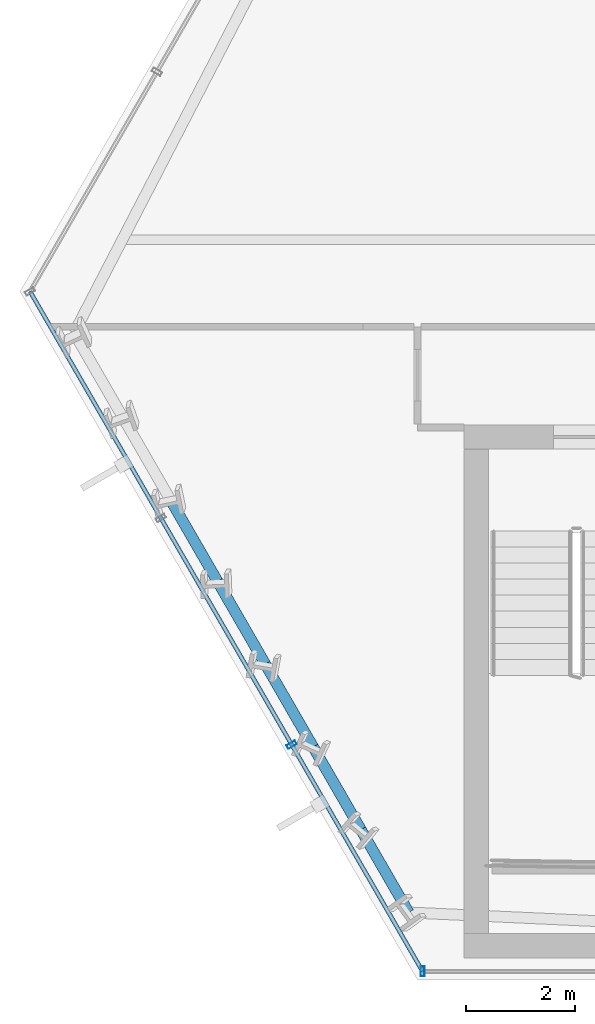
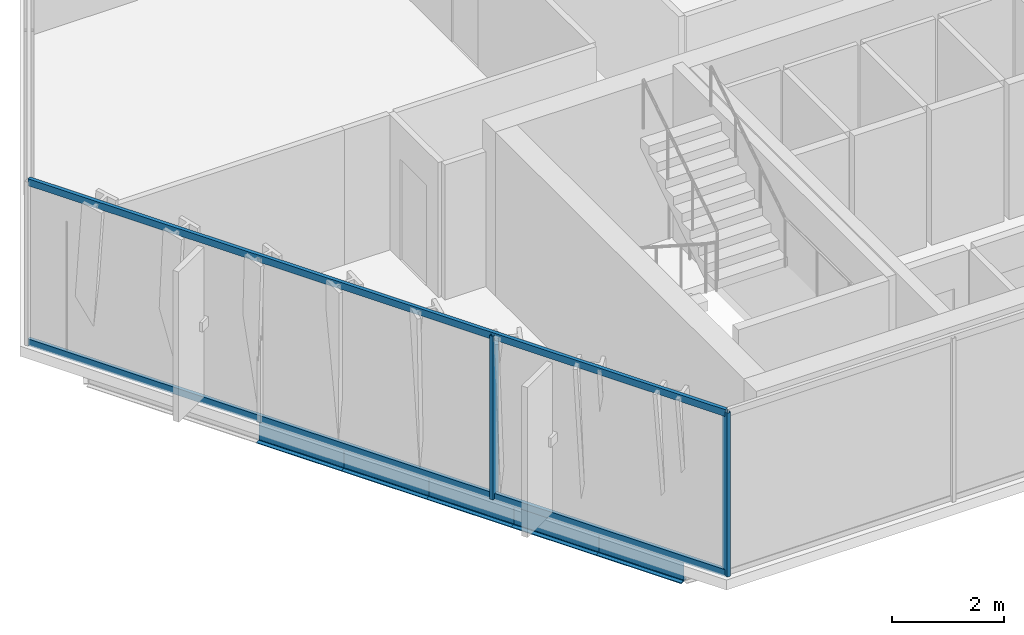
# One storey, part 2 of 33: 5 beams, 4 members, 2 elements without a shape of their own.
"""IFC4 building model written with IfcOpenShell, lengths in metres."""

from ifc_helpers import new_model, si_unit, direction, frame, origin, origin_2d, place, context, subcontext, project, spatial, hollow_rectangle, i_section, extrude, material, layer, layer_set, material_profile, profile_set, type_object, element, aggregate, save


model = new_model("IFC4")

# Units and contexts
model_context = context("Model", 3, precision=1e-05, world=origin(), true_north=direction((0.0, 1.0)))
body_context = subcontext(model_context, "Body", "Model", "MODEL_VIEW")
ifc_project = project(units=[si_unit("LENGTHUNIT", "METRE"), si_unit("AREAUNIT", "SQUARE_METRE"), si_unit("VOLUMEUNIT", "CUBIC_METRE"), si_unit("PLANEANGLEUNIT", "RADIAN"), si_unit("MASSUNIT", "GRAM", prefix="KILO")], contexts=[model_context])

# Site, building, storey
site_placement = place(None, origin())
site = spatial("IfcSite", under=ifc_project, at=site_placement, CompositionType="ELEMENT")
building_placement = place(site_placement, origin())
building = spatial("IfcBuilding", under=site, at=building_placement, Name="Ndaravel Arena Tower", CompositionType="ELEMENT")
storey_placement = place(building_placement, frame((0.0, 0.0, 89.199951171875)))
storey = spatial("IfcBuildingStorey", under=building, at=storey_placement, Name="L20", CompositionType="ELEMENT", Elevation=89.199951171875)

# Beams
ifc_material_1 = material(Name="Steel S355", Category="steel")
ifc_material_profile_1 = material_profile(ifc_material_1, i_section(OverallWidth=0.199951171875, OverallDepth=0.5, WebThickness=0.01025390625, FlangeThickness=0.01611328125, FilletRadius=0.02099609375, at=origin_2d()), Name="IPE 500")
ifc_profile_set_1 = profile_set([ifc_material_profile_1], Name="Steel S355")
beam_type = type_object("IfcBeamType", Name="BM-SPAN-IPE500", PredefinedType="SPANDREL", material=ifc_profile_set_1)
beam_1_placement = place(storey_placement, frame((21.0458984375, 13.845458984375, -0.469970703125), z_axis=(0.500115484592, -0.865958718457, 0.0), x_axis=(0.865958718457, 0.500115484592, 0.0)))
element("IfcBeam", 1, at=beam_1_placement, inside=storey, type_object=beam_type, Name="L20 Perimeter Spandrel Beam SP-22", PredefinedType="SPANDREL", context=body_context, shape_type="SweptSolid", body=[
    extrude(i_section(OverallWidth=0.199951171875, OverallDepth=0.5, WebThickness=0.01025390625, FlangeThickness=0.01611328125, FilletRadius=0.02099609375, at=origin_2d()), origin(), (0.0, 0.0, 1.0), 1.75634765625),
])
beam_2_placement = place(storey_placement, frame((21.92431640625, 12.324462890625, -0.469970703125), z_axis=(0.49990697594, -0.86607910459, 0.0), x_axis=(0.86607910459, 0.49990697594, 0.0)))
element("IfcBeam", 2, at=beam_2_placement, inside=storey, type_object=beam_type, Name="L20 Perimeter Spandrel Beam SP-23", PredefinedType="SPANDREL", context=body_context, shape_type="SweptSolid", body=[
    extrude(i_section(OverallWidth=0.199951171875, OverallDepth=0.5, WebThickness=0.01025390625, FlangeThickness=0.01611328125, FilletRadius=0.02099609375, at=origin_2d()), origin(), (0.0, 0.0, 1.0), 1.756103515625),
])
for number, where, z_axis, x_axis, name in (
    (3, (22.80224609375, 10.803466796875, -0.469970703125), (0.500011241135, -0.866018913615, 0.0), (0.866018913615, 0.500011241135, 0.0), "L20 Perimeter Spandrel Beam SP-24"),
    (4, (23.680419921875, 9.282470703125, -0.469970703125), (0.500011241135, -0.866018913615, 0.0), (0.866018913615, 0.500011241135, 0.0), "L20 Perimeter Spandrel Beam SP-25"),
    (5, (24.55859375, 7.761474609375, -0.469970703125), (0.500011241135, -0.866018913615, 0.0), (0.866018913615, 0.500011241135, 0.0), "L20 Perimeter Spandrel Beam SP-26"),
):
    element("IfcBeam", number, at=place(storey_placement, frame(where, z_axis=z_axis, x_axis=x_axis)), inside=storey, type_object=beam_type, Name=name, PredefinedType="SPANDREL", context=body_context, shape_type="SweptSolid", body=[
        extrude(i_section(OverallWidth=0.199951171875, OverallDepth=0.5, WebThickness=0.01025390625, FlangeThickness=0.01611328125, FilletRadius=0.02099609375, at=origin_2d()), origin(), (0.0, 0.0, 1.0), 1.75634765625),
    ])

# Curtain wall, member
ifc_material_2 = material(Name="Aluminium", Category="aluminium")
ifc_layer_1 = layer(ifc_material_2, 0.179931640625)
ifc_layer_set_1 = layer_set([ifc_layer_1], Name="Aluminium")
curtain_wall_type_1 = type_object("IfcCurtainWallType", Name="CW-SYS-03", PredefinedType="NOTDEFINED", material=ifc_layer_set_1)
curtain_wall_1_placement = place(storey_placement, origin())
curtain_wall_1 = element("IfcCurtainWall", 6, at=curtain_wall_1_placement, inside=storey, type_object=curtain_wall_type_1, Name="L20 Faceted Crystal Curtain Wall CW-L20-E01", PredefinedType="NOTDEFINED")
ifc_material_3 = material(Name="Aluminium", Category="aluminium")
ifc_material_profile_2 = material_profile(ifc_material_3, hollow_rectangle(XDim=0.074951171875, YDim=0.179931640625, WallThickness=0.00390625, at=origin_2d()), Name="CW MULLION 75x180x4")
ifc_profile_set_2 = profile_set([ifc_material_profile_2], Name="Aluminium")
member_type_1 = type_object("IfcMemberType", Name="MEM-CW-MUL180", PredefinedType="MULLION", material=ifc_profile_set_2)
member_1_placement = place(storey_placement, frame((25.691162109375, 5.159912109375, 0.0), z_axis=(0.0, 0.0, 1.0), x_axis=(1.0, 0.0, 0.0)))
member_1 = element("IfcMember", 7, at=member_1_placement, type_object=member_type_1, Name="CW-L20-E01 Mullion 00", PredefinedType="MULLION", context=body_context, shape_type="SweptSolid", body=[
    extrude(hollow_rectangle(XDim=0.074951171875, YDim=0.179931640625, WallThickness=0.00390625, at=origin_2d()), origin(), (0.0, 0.0, 1.0), 3.580078125),
])
aggregate(curtain_wall_1, [member_1])

# Curtain wall, members
ifc_material_4 = material(Name="Aluminium", Category="aluminium")
ifc_layer_2 = layer(ifc_material_4, 0.179931640625)
ifc_layer_set_2 = layer_set([ifc_layer_2], Name="Aluminium")
curtain_wall_type_2 = type_object("IfcCurtainWallType", Name="CW-SYS-02", PredefinedType="NOTDEFINED", material=ifc_layer_set_2)
curtain_wall_2_placement = place(storey_placement, origin())
curtain_wall_2 = element("IfcCurtainWall", 8, at=curtain_wall_2_placement, inside=storey, type_object=curtain_wall_type_2, Name="L20 Faceted Crystal Curtain Wall CW-L20-E06", PredefinedType="NOTDEFINED")
member_2_placement = place(storey_placement, frame((23.287841796875, 9.322509765625, 0.0), z_axis=(0.0, 0.0, 1.0), x_axis=(0.5, -0.866025403784, 0.0)))
member_2 = element("IfcMember", 9, at=member_2_placement, type_object=member_type_1, Name="CW-L20-E06 Mullion 02", PredefinedType="MULLION", context=body_context, shape_type="SweptSolid", body=[
    extrude(hollow_rectangle(XDim=0.074951171875, YDim=0.179931640625, WallThickness=0.00390625, at=origin_2d()), origin(), (0.0, 0.0, 1.0), 3.580078125),
])
ifc_material_5 = material(Name="Aluminium", Category="aluminium")
ifc_material_profile_3 = material_profile(ifc_material_5, hollow_rectangle(XDim=0.074951171875, YDim=0.14990234375, WallThickness=0.00390625, at=origin_2d()), Name="CW TRANSOM 75x150x4")
ifc_profile_set_3 = profile_set([ifc_material_profile_3], Name="Aluminium")
member_type_2 = type_object("IfcMemberType", Name="MEM-CW-TRN150", PredefinedType="USERDEFINED", material=ifc_profile_set_3)
member_3_placement = place(storey_placement, frame((18.481201171875, 17.64794921875, 0.0400390625), z_axis=(0.499999446118, -0.866025723568, 0.0), x_axis=(0.866025723568, 0.499999446118, 0.0)))
member_3 = element("IfcMember", 10, at=member_3_placement, type_object=member_type_2, Name="CW-L20-E06 Transom 01", ObjectType="TRANSOM", PredefinedType="USERDEFINED", context=body_context, shape_type="SweptSolid", body=[
    extrude(hollow_rectangle(XDim=0.074951171875, YDim=0.14990234375, WallThickness=0.00390625, at=origin_2d()), origin(), (0.0, 0.0, 1.0), 14.419921875),
])
member_4_placement = place(storey_placement, frame((18.481201171875, 17.64794921875, 3.5400390625), z_axis=(0.499999446118, -0.866025723568, 0.0), x_axis=(0.866025723568, 0.499999446118, 0.0)))
member_4 = element("IfcMember", 11, at=member_4_placement, type_object=member_type_2, Name="CW-L20-E06 Transom 02", ObjectType="TRANSOM", PredefinedType="USERDEFINED", context=body_context, shape_type="SweptSolid", body=[
    extrude(hollow_rectangle(XDim=0.074951171875, YDim=0.14990234375, WallThickness=0.00390625, at=origin_2d()), origin(), (0.0, 0.0, 1.0), 14.419921875),
])
aggregate(curtain_wall_2, [member_2, member_3, member_4])

save(model, "model.ifc")
